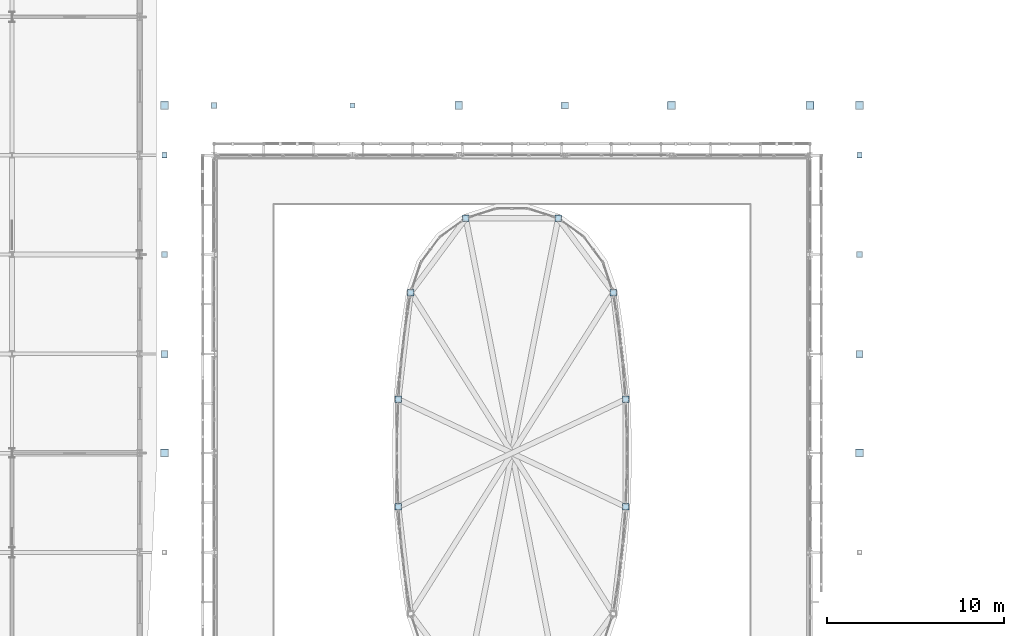
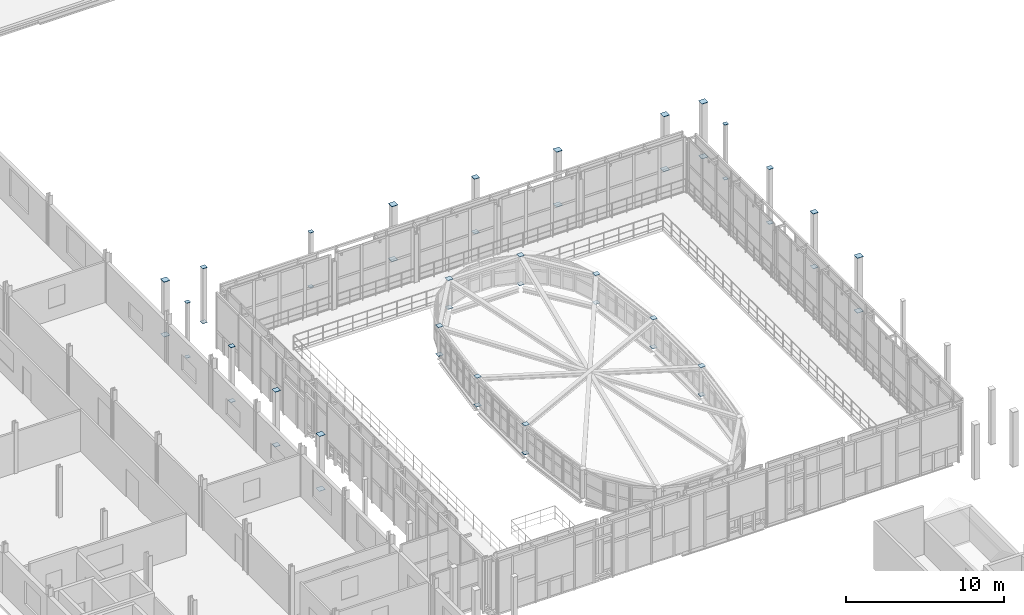
# One storey, part 58 of 78: 48 plates.
"""IFC4 building model written with IfcOpenShell, lengths in metres."""

from ifc_helpers import new_model, si_unit, direction, frame, origin, origin_2d, place, context, subcontext, project, spatial, rectangle, extrude, material, material_profile, profile_set, type_object, element, save


model = new_model("IFC4")

# Units and contexts
model_context = context("Model", 3, precision=1e-05, world=origin(), true_north=direction((0.0, 1.0)))
body_context = subcontext(model_context, "Body", "Model", "MODEL_VIEW")
ifc_project = project(units=[si_unit("LENGTHUNIT", "METRE"), si_unit("AREAUNIT", "SQUARE_METRE"), si_unit("VOLUMEUNIT", "CUBIC_METRE"), si_unit("PLANEANGLEUNIT", "RADIAN"), si_unit("MASSUNIT", "GRAM", prefix="KILO")], contexts=[model_context])

# Site, building, storey
site_placement = place(None, origin())
site = spatial("IfcSite", under=ifc_project, at=site_placement, CompositionType="ELEMENT")
building_placement = place(site_placement, origin())
building = spatial("IfcBuilding", under=site, at=building_placement, Name="Vinh Khe Railworks Police Headquarters", CompositionType="ELEMENT")
storey_placement = place(building_placement, frame((0.0, 0.0, 13.199951171875)))
storey = spatial("IfcBuildingStorey", under=building, at=storey_placement, Name="L03", CompositionType="ELEMENT", Elevation=13.199951171875)

# Plates
ifc_material = material(Name="Steel S355JR", Category="steel")
ifc_material_profile_1 = material_profile(ifc_material, rectangle(XDim=0.2900390625, YDim=0.2900390625, at=origin_2d()), Name="PL 290x290")
ifc_profile_set_1 = profile_set([ifc_material_profile_1], Name="Steel S355JR")
plate_type_1 = type_object("IfcPlateType", Name="Steel End-Cap Plate 290x290x24", PredefinedType="SHEET", material=ifc_profile_set_1)
plate_1_placement = place(storey_placement, frame((23.60009765625, 58.800048828125, 0.0), z_axis=(0.0, 0.0, -1.0), x_axis=(1.0, 0.0, 0.0)))
element("IfcPlate", 1, at=plate_1_placement, inside=storey, type_object=plate_type_1, Name="End-Cap Gusset Plate PLT-EP-0200", PredefinedType="SHEET", context=body_context, shape_type="SweptSolid", body=[
    extrude(rectangle(XDim=0.2900390625, YDim=0.2900390625, at=origin_2d()), origin(), (0.0, 0.0, 1.0), 0.02392578125),
])
plate_2_placement = place(storey_placement, frame((23.60009765625, 58.800048828125, 4.199951171875), z_axis=(0.0, 0.0, 1.0), x_axis=(1.0, 0.0, 0.0)))
element("IfcPlate", 2, at=plate_2_placement, inside=storey, type_object=plate_type_1, Name="End-Cap Gusset Plate PLT-EP-0202", PredefinedType="SHEET", context=body_context, shape_type="SweptSolid", body=[
    extrude(rectangle(XDim=0.2900390625, YDim=0.2900390625, at=origin_2d()), origin(), (0.0, 0.0, 1.0), 0.024169921875),
])
plate_3_placement = place(storey_placement, frame((34.199951171875, 61.60009765625, 0.0), z_axis=(0.0, 0.0, -1.0), x_axis=(1.0, 0.0, 0.0)))
element("IfcPlate", 3, at=plate_3_placement, inside=storey, type_object=plate_type_1, Name="End-Cap Gusset Plate PLT-EP-0311", PredefinedType="SHEET", context=body_context, shape_type="SweptSolid", body=[
    extrude(rectangle(XDim=0.2900390625, YDim=0.2900390625, at=origin_2d()), origin(), (0.0, 0.0, 1.0), 0.02392578125),
])
plate_4_placement = place(storey_placement, frame((34.199951171875, 61.60009765625, 4.199951171875), z_axis=(0.0, 0.0, 1.0), x_axis=(1.0, 0.0, 0.0)))
element("IfcPlate", 4, at=plate_4_placement, inside=storey, type_object=plate_type_1, Name="End-Cap Gusset Plate PLT-EP-0313", PredefinedType="SHEET", context=body_context, shape_type="SweptSolid", body=[
    extrude(rectangle(XDim=0.2900390625, YDim=0.2900390625, at=origin_2d()), origin(), (0.0, 0.0, 1.0), 0.024169921875),
])
plate_5_placement = place(storey_placement, frame((62.800048828125, 58.800048828125, 0.0), z_axis=(0.0, 0.0, -1.0), x_axis=(1.0, 0.0, 0.0)))
element("IfcPlate", 5, at=plate_5_placement, inside=storey, type_object=plate_type_1, Name="End-Cap Gusset Plate PLT-EP-0648", PredefinedType="SHEET", context=body_context, shape_type="SweptSolid", body=[
    extrude(rectangle(XDim=0.2900390625, YDim=0.2900390625, at=origin_2d()), origin(), (0.0, 0.0, 1.0), 0.02392578125),
])
plate_6_placement = place(storey_placement, frame((62.800048828125, 58.800048828125, 4.199951171875), z_axis=(0.0, 0.0, 1.0), x_axis=(1.0, 0.0, 0.0)))
element("IfcPlate", 6, at=plate_6_placement, inside=storey, type_object=plate_type_1, Name="End-Cap Gusset Plate PLT-EP-0650", PredefinedType="SHEET", context=body_context, shape_type="SweptSolid", body=[
    extrude(rectangle(XDim=0.2900390625, YDim=0.2900390625, at=origin_2d()), origin(), (0.0, 0.0, 1.0), 0.024169921875),
])
ifc_material_profile_2 = material_profile(ifc_material, rectangle(XDim=0.340087890625, YDim=0.340087890625, at=origin_2d()), Name="PL 340x340")
ifc_profile_set_2 = profile_set([ifc_material_profile_2], Name="Steel S355JR")
plate_type_2 = type_object("IfcPlateType", Name="Steel End-Cap Plate 340x340x24", PredefinedType="SHEET", material=ifc_profile_set_2)
plate_7_placement = place(storey_placement, frame((23.60009765625, 53.199951171875, 0.0), z_axis=(0.0, 0.0, -1.0), x_axis=(1.0, 0.0, 0.0)))
element("IfcPlate", 7, at=plate_7_placement, inside=storey, type_object=plate_type_2, Name="End-Cap Gusset Plate PLT-EP-0191", PredefinedType="SHEET", context=body_context, shape_type="SweptSolid", body=[
    extrude(rectangle(XDim=0.340087890625, YDim=0.340087890625, at=origin_2d()), origin(), (0.0, 0.0, 1.0), 0.02392578125),
])
plate_8_placement = place(storey_placement, frame((23.60009765625, 53.199951171875, 4.199951171875), z_axis=(0.0, 0.0, 1.0), x_axis=(1.0, 0.0, 0.0)))
element("IfcPlate", 8, at=plate_8_placement, inside=storey, type_object=plate_type_2, Name="End-Cap Gusset Plate PLT-EP-0193", PredefinedType="SHEET", context=body_context, shape_type="SweptSolid", body=[
    extrude(rectangle(XDim=0.340087890625, YDim=0.340087890625, at=origin_2d()), origin(), (0.0, 0.0, 1.0), 0.024169921875),
])
plate_9_placement = place(storey_placement, frame((26.39990234375, 61.60009765625, 0.0), z_axis=(0.0, 0.0, -1.0), x_axis=(1.0, 0.0, 0.0)))
element("IfcPlate", 9, at=plate_9_placement, inside=storey, type_object=plate_type_2, Name="End-Cap Gusset Plate PLT-EP-0249", PredefinedType="SHEET", context=body_context, shape_type="SweptSolid", body=[
    extrude(rectangle(XDim=0.340087890625, YDim=0.340087890625, at=origin_2d()), origin(), (0.0, 0.0, 1.0), 0.02392578125),
])
plate_10_placement = place(storey_placement, frame((26.39990234375, 61.60009765625, 4.199951171875), z_axis=(0.0, 0.0, 1.0), x_axis=(1.0, 0.0, 0.0)))
element("IfcPlate", 10, at=plate_10_placement, inside=storey, type_object=plate_type_2, Name="End-Cap Gusset Plate PLT-EP-0252", PredefinedType="SHEET", context=body_context, shape_type="SweptSolid", body=[
    extrude(rectangle(XDim=0.340087890625, YDim=0.340087890625, at=origin_2d()), origin(), (0.0, 0.0, 1.0), 0.024169921875),
])
plate_11_placement = place(storey_placement, frame((62.800048828125, 53.199951171875, 0.0), z_axis=(0.0, 0.0, -1.0), x_axis=(1.0, 0.0, 0.0)))
element("IfcPlate", 11, at=plate_11_placement, inside=storey, type_object=plate_type_2, Name="End-Cap Gusset Plate PLT-EP-0639", PredefinedType="SHEET", context=body_context, shape_type="SweptSolid", body=[
    extrude(rectangle(XDim=0.340087890625, YDim=0.340087890625, at=origin_2d()), origin(), (0.0, 0.0, 1.0), 0.02392578125),
])
plate_12_placement = place(storey_placement, frame((62.800048828125, 53.199951171875, 4.199951171875), z_axis=(0.0, 0.0, 1.0), x_axis=(1.0, 0.0, 0.0)))
element("IfcPlate", 12, at=plate_12_placement, inside=storey, type_object=plate_type_2, Name="End-Cap Gusset Plate PLT-EP-0641", PredefinedType="SHEET", context=body_context, shape_type="SweptSolid", body=[
    extrude(rectangle(XDim=0.340087890625, YDim=0.340087890625, at=origin_2d()), origin(), (0.0, 0.0, 1.0), 0.024169921875),
])
ifc_material_profile_3 = material_profile(ifc_material, rectangle(XDim=0.364013671875, YDim=0.364013671875, at=origin_2d()), Name="PL 364x364")
ifc_profile_set_3 = profile_set([ifc_material_profile_3], Name="Steel S355JR")
plate_type_3 = type_object("IfcPlateType", Name="Steel End-Cap Plate 364x364x24", PredefinedType="SHEET", material=ifc_profile_set_3)
plate_13_placement = place(storey_placement, frame((36.78759765625, 38.968017578125, 0.0), z_axis=(0.0, 0.0, -1.0), x_axis=(1.0, 0.0, 0.0)))
element("IfcPlate", 13, at=plate_13_placement, inside=storey, type_object=plate_type_3, Name="End-Cap Gusset Plate PLT-EP-0339", PredefinedType="SHEET", context=body_context, shape_type="SweptSolid", body=[
    extrude(rectangle(XDim=0.364013671875, YDim=0.364013671875, at=origin_2d()), origin(), (0.0, 0.0, 1.0), 0.02392578125),
])
plate_14_placement = place(storey_placement, frame((36.78759765625, 38.968017578125, 2.199951171875), z_axis=(0.0, 0.0, 1.0), x_axis=(1.0, 0.0, 0.0)))
element("IfcPlate", 14, at=plate_14_placement, inside=storey, type_object=plate_type_3, Name="End-Cap Gusset Plate PLT-EP-0341", PredefinedType="SHEET", context=body_context, shape_type="SweptSolid", body=[
    extrude(rectangle(XDim=0.364013671875, YDim=0.364013671875, at=origin_2d()), origin(), (0.0, 0.0, 1.0), 0.024169921875),
])
plate_15_placement = place(storey_placement, frame((36.78759765625, 45.031982421875, 0.0), z_axis=(0.0, 0.0, -1.0), x_axis=(1.0, 0.0, 0.0)))
element("IfcPlate", 15, at=plate_15_placement, inside=storey, type_object=plate_type_3, Name="End-Cap Gusset Plate PLT-EP-0347", PredefinedType="SHEET", context=body_context, shape_type="SweptSolid", body=[
    extrude(rectangle(XDim=0.364013671875, YDim=0.364013671875, at=origin_2d()), origin(), (0.0, 0.0, 1.0), 0.02392578125),
])
plate_16_placement = place(storey_placement, frame((36.78759765625, 45.031982421875, 2.199951171875), z_axis=(0.0, 0.0, 1.0), x_axis=(1.0, 0.0, 0.0)))
element("IfcPlate", 16, at=plate_16_placement, inside=storey, type_object=plate_type_3, Name="End-Cap Gusset Plate PLT-EP-0349", PredefinedType="SHEET", context=body_context, shape_type="SweptSolid", body=[
    extrude(rectangle(XDim=0.364013671875, YDim=0.364013671875, at=origin_2d()), origin(), (0.0, 0.0, 1.0), 0.024169921875),
])
plate_17_placement = place(storey_placement, frame((37.48681640625, 51.055908203125, 0.0), z_axis=(0.0, 0.0, -1.0), x_axis=(1.0, 0.0, 0.0)))
element("IfcPlate", 17, at=plate_17_placement, inside=storey, type_object=plate_type_3, Name="End-Cap Gusset Plate PLT-EP-0363", PredefinedType="SHEET", context=body_context, shape_type="SweptSolid", body=[
    extrude(rectangle(XDim=0.364013671875, YDim=0.364013671875, at=origin_2d()), origin(), (0.0, 0.0, 1.0), 0.02392578125),
])
plate_18_placement = place(storey_placement, frame((37.48681640625, 51.055908203125, 2.199951171875), z_axis=(0.0, 0.0, 1.0), x_axis=(1.0, 0.0, 0.0)))
element("IfcPlate", 18, at=plate_18_placement, inside=storey, type_object=plate_type_3, Name="End-Cap Gusset Plate PLT-EP-0365", PredefinedType="SHEET", context=body_context, shape_type="SweptSolid", body=[
    extrude(rectangle(XDim=0.364013671875, YDim=0.364013671875, at=origin_2d()), origin(), (0.0, 0.0, 1.0), 0.024169921875),
])
plate_19_placement = place(storey_placement, frame((40.594970703125, 55.237548828125, 0.0), z_axis=(0.0, 0.0, -1.0), x_axis=(1.0, 0.0, 0.0)))
element("IfcPlate", 19, at=plate_19_placement, inside=storey, type_object=plate_type_3, Name="End-Cap Gusset Plate PLT-EP-0409", PredefinedType="SHEET", context=body_context, shape_type="SweptSolid", body=[
    extrude(rectangle(XDim=0.364013671875, YDim=0.364013671875, at=origin_2d()), origin(), (0.0, 0.0, 1.0), 0.02392578125),
])
plate_20_placement = place(storey_placement, frame((40.594970703125, 55.237548828125, 2.199951171875), z_axis=(0.0, 0.0, 1.0), x_axis=(1.0, 0.0, 0.0)))
element("IfcPlate", 20, at=plate_20_placement, inside=storey, type_object=plate_type_3, Name="End-Cap Gusset Plate PLT-EP-0411", PredefinedType="SHEET", context=body_context, shape_type="SweptSolid", body=[
    extrude(rectangle(XDim=0.364013671875, YDim=0.364013671875, at=origin_2d()), origin(), (0.0, 0.0, 1.0), 0.024169921875),
])
plate_21_placement = place(storey_placement, frame((45.80517578125, 55.237548828125, 0.0), z_axis=(0.0, 0.0, -1.0), x_axis=(1.0, 0.0, 0.0)))
element("IfcPlate", 21, at=plate_21_placement, inside=storey, type_object=plate_type_3, Name="End-Cap Gusset Plate PLT-EP-0439", PredefinedType="SHEET", context=body_context, shape_type="SweptSolid", body=[
    extrude(rectangle(XDim=0.364013671875, YDim=0.364013671875, at=origin_2d()), origin(), (0.0, 0.0, 1.0), 0.02392578125),
])
plate_22_placement = place(storey_placement, frame((45.80517578125, 55.237548828125, 2.199951171875), z_axis=(0.0, 0.0, 1.0), x_axis=(1.0, 0.0, 0.0)))
element("IfcPlate", 22, at=plate_22_placement, inside=storey, type_object=plate_type_3, Name="End-Cap Gusset Plate PLT-EP-0441", PredefinedType="SHEET", context=body_context, shape_type="SweptSolid", body=[
    extrude(rectangle(XDim=0.364013671875, YDim=0.364013671875, at=origin_2d()), origin(), (0.0, 0.0, 1.0), 0.024169921875),
])
plate_23_placement = place(storey_placement, frame((48.9130859375, 51.055908203125, 0.0), z_axis=(0.0, 0.0, -1.0), x_axis=(1.0, 0.0, 0.0)))
element("IfcPlate", 23, at=plate_23_placement, inside=storey, type_object=plate_type_3, Name="End-Cap Gusset Plate PLT-EP-0493", PredefinedType="SHEET", context=body_context, shape_type="SweptSolid", body=[
    extrude(rectangle(XDim=0.364013671875, YDim=0.364013671875, at=origin_2d()), origin(), (0.0, 0.0, 1.0), 0.02392578125),
])
plate_24_placement = place(storey_placement, frame((48.9130859375, 51.055908203125, 2.199951171875), z_axis=(0.0, 0.0, 1.0), x_axis=(1.0, 0.0, 0.0)))
element("IfcPlate", 24, at=plate_24_placement, inside=storey, type_object=plate_type_3, Name="End-Cap Gusset Plate PLT-EP-0495", PredefinedType="SHEET", context=body_context, shape_type="SweptSolid", body=[
    extrude(rectangle(XDim=0.364013671875, YDim=0.364013671875, at=origin_2d()), origin(), (0.0, 0.0, 1.0), 0.024169921875),
])
plate_25_placement = place(storey_placement, frame((49.6123046875, 38.968017578125, 0.0), z_axis=(0.0, 0.0, -1.0), x_axis=(1.0, 0.0, 0.0)))
element("IfcPlate", 25, at=plate_25_placement, inside=storey, type_object=plate_type_3, Name="End-Cap Gusset Plate PLT-EP-0501", PredefinedType="SHEET", context=body_context, shape_type="SweptSolid", body=[
    extrude(rectangle(XDim=0.364013671875, YDim=0.364013671875, at=origin_2d()), origin(), (0.0, 0.0, 1.0), 0.02392578125),
])
plate_26_placement = place(storey_placement, frame((49.6123046875, 38.968017578125, 2.199951171875), z_axis=(0.0, 0.0, 1.0), x_axis=(1.0, 0.0, 0.0)))
element("IfcPlate", 26, at=plate_26_placement, inside=storey, type_object=plate_type_3, Name="End-Cap Gusset Plate PLT-EP-0503", PredefinedType="SHEET", context=body_context, shape_type="SweptSolid", body=[
    extrude(rectangle(XDim=0.364013671875, YDim=0.364013671875, at=origin_2d()), origin(), (0.0, 0.0, 1.0), 0.024169921875),
])
plate_27_placement = place(storey_placement, frame((49.6123046875, 45.031982421875, 0.0), z_axis=(0.0, 0.0, -1.0), x_axis=(1.0, 0.0, 0.0)))
element("IfcPlate", 27, at=plate_27_placement, inside=storey, type_object=plate_type_3, Name="End-Cap Gusset Plate PLT-EP-0509", PredefinedType="SHEET", context=body_context, shape_type="SweptSolid", body=[
    extrude(rectangle(XDim=0.364013671875, YDim=0.364013671875, at=origin_2d()), origin(), (0.0, 0.0, 1.0), 0.02392578125),
])
plate_28_placement = place(storey_placement, frame((49.6123046875, 45.031982421875, 2.199951171875), z_axis=(0.0, 0.0, 1.0), x_axis=(1.0, 0.0, 0.0)))
element("IfcPlate", 28, at=plate_28_placement, inside=storey, type_object=plate_type_3, Name="End-Cap Gusset Plate PLT-EP-0511", PredefinedType="SHEET", context=body_context, shape_type="SweptSolid", body=[
    extrude(rectangle(XDim=0.364013671875, YDim=0.364013671875, at=origin_2d()), origin(), (0.0, 0.0, 1.0), 0.024169921875),
])
ifc_material_profile_4 = material_profile(ifc_material, rectangle(XDim=0.389892578125, YDim=0.389892578125, at=origin_2d()), Name="PL 390x390")
ifc_profile_set_4 = profile_set([ifc_material_profile_4], Name="Steel S355JR")
plate_type_4 = type_object("IfcPlateType", Name="Steel End-Cap Plate 390x390x24", PredefinedType="SHEET", material=ifc_profile_set_4)
plate_29_placement = place(storey_placement, frame((23.60009765625, 47.60009765625, 0.0), z_axis=(0.0, 0.0, -1.0), x_axis=(1.0, 0.0, 0.0)))
element("IfcPlate", 29, at=plate_29_placement, inside=storey, type_object=plate_type_4, Name="End-Cap Gusset Plate PLT-EP-0182", PredefinedType="SHEET", context=body_context, shape_type="SweptSolid", body=[
    extrude(rectangle(XDim=0.389892578125, YDim=0.389892578125, at=origin_2d()), origin(), (0.0, 0.0, 1.0), 0.02392578125),
])
plate_30_placement = place(storey_placement, frame((23.60009765625, 47.60009765625, 4.199951171875), z_axis=(0.0, 0.0, 1.0), x_axis=(1.0, 0.0, 0.0)))
element("IfcPlate", 30, at=plate_30_placement, inside=storey, type_object=plate_type_4, Name="End-Cap Gusset Plate PLT-EP-0184", PredefinedType="SHEET", context=body_context, shape_type="SweptSolid", body=[
    extrude(rectangle(XDim=0.389892578125, YDim=0.389892578125, at=origin_2d()), origin(), (0.0, 0.0, 1.0), 0.024169921875),
])
plate_31_placement = place(storey_placement, frame((46.199951171875, 61.60009765625, 0.0), z_axis=(0.0, 0.0, -1.0), x_axis=(1.0, 0.0, 0.0)))
element("IfcPlate", 31, at=plate_31_placement, inside=storey, type_object=plate_type_4, Name="End-Cap Gusset Plate PLT-EP-0455", PredefinedType="SHEET", context=body_context, shape_type="SweptSolid", body=[
    extrude(rectangle(XDim=0.389892578125, YDim=0.389892578125, at=origin_2d()), origin(), (0.0, 0.0, 1.0), 0.02392578125),
])
plate_32_placement = place(storey_placement, frame((46.199951171875, 61.60009765625, 4.199951171875), z_axis=(0.0, 0.0, 1.0), x_axis=(1.0, 0.0, 0.0)))
element("IfcPlate", 32, at=plate_32_placement, inside=storey, type_object=plate_type_4, Name="End-Cap Gusset Plate PLT-EP-0457", PredefinedType="SHEET", context=body_context, shape_type="SweptSolid", body=[
    extrude(rectangle(XDim=0.389892578125, YDim=0.389892578125, at=origin_2d()), origin(), (0.0, 0.0, 1.0), 0.024169921875),
])
plate_33_placement = place(storey_placement, frame((62.800048828125, 47.60009765625, 0.0), z_axis=(0.0, 0.0, -1.0), x_axis=(1.0, 0.0, 0.0)))
element("IfcPlate", 33, at=plate_33_placement, inside=storey, type_object=plate_type_4, Name="End-Cap Gusset Plate PLT-EP-0630", PredefinedType="SHEET", context=body_context, shape_type="SweptSolid", body=[
    extrude(rectangle(XDim=0.389892578125, YDim=0.389892578125, at=origin_2d()), origin(), (0.0, 0.0, 1.0), 0.02392578125),
])
plate_34_placement = place(storey_placement, frame((62.800048828125, 47.60009765625, 4.199951171875), z_axis=(0.0, 0.0, 1.0), x_axis=(1.0, 0.0, 0.0)))
element("IfcPlate", 34, at=plate_34_placement, inside=storey, type_object=plate_type_4, Name="End-Cap Gusset Plate PLT-EP-0632", PredefinedType="SHEET", context=body_context, shape_type="SweptSolid", body=[
    extrude(rectangle(XDim=0.389892578125, YDim=0.389892578125, at=origin_2d()), origin(), (0.0, 0.0, 1.0), 0.024169921875),
])
ifc_material_profile_5 = material_profile(ifc_material, rectangle(XDim=0.43994140625, YDim=0.43994140625, at=origin_2d()), Name="PL 440x440")
ifc_profile_set_5 = profile_set([ifc_material_profile_5], Name="Steel S355JR")
plate_type_5 = type_object("IfcPlateType", Name="Steel End-Cap Plate 440x440x24", PredefinedType="SHEET", material=ifc_profile_set_5)
plate_35_placement = place(storey_placement, frame((23.60009765625, 42.0, 0.0), z_axis=(0.0, 0.0, -1.0), x_axis=(1.0, 0.0, 0.0)))
element("IfcPlate", 35, at=plate_35_placement, inside=storey, type_object=plate_type_5, Name="End-Cap Gusset Plate PLT-EP-0172", PredefinedType="SHEET", context=body_context, shape_type="SweptSolid", body=[
    extrude(rectangle(XDim=0.43994140625, YDim=0.43994140625, at=origin_2d()), origin(), (0.0, 0.0, 1.0), 0.02392578125),
])
plate_36_placement = place(storey_placement, frame((23.60009765625, 42.0, 4.199951171875), z_axis=(0.0, 0.0, 1.0), x_axis=(1.0, 0.0, 0.0)))
element("IfcPlate", 36, at=plate_36_placement, inside=storey, type_object=plate_type_5, Name="End-Cap Gusset Plate PLT-EP-0175", PredefinedType="SHEET", context=body_context, shape_type="SweptSolid", body=[
    extrude(rectangle(XDim=0.43994140625, YDim=0.43994140625, at=origin_2d()), origin(), (0.0, 0.0, 1.0), 0.024169921875),
])
plate_37_placement = place(storey_placement, frame((23.60009765625, 61.60009765625, 0.0), z_axis=(0.0, 0.0, -1.0), x_axis=(1.0, 0.0, 0.0)))
element("IfcPlate", 37, at=plate_37_placement, inside=storey, type_object=plate_type_5, Name="End-Cap Gusset Plate PLT-EP-0208", PredefinedType="SHEET", context=body_context, shape_type="SweptSolid", body=[
    extrude(rectangle(XDim=0.43994140625, YDim=0.43994140625, at=origin_2d()), origin(), (0.0, 0.0, 1.0), 0.02392578125),
])
plate_38_placement = place(storey_placement, frame((23.60009765625, 61.60009765625, 4.199951171875), z_axis=(0.0, 0.0, 1.0), x_axis=(1.0, 0.0, 0.0)))
element("IfcPlate", 38, at=plate_38_placement, inside=storey, type_object=plate_type_5, Name="End-Cap Gusset Plate PLT-EP-0210", PredefinedType="SHEET", context=body_context, shape_type="SweptSolid", body=[
    extrude(rectangle(XDim=0.43994140625, YDim=0.43994140625, at=origin_2d()), origin(), (0.0, 0.0, 1.0), 0.024169921875),
])
plate_39_placement = place(storey_placement, frame((40.199951171875, 61.60009765625, 0.0), z_axis=(0.0, 0.0, -1.0), x_axis=(1.0, 0.0, 0.0)))
element("IfcPlate", 39, at=plate_39_placement, inside=storey, type_object=plate_type_5, Name="End-Cap Gusset Plate PLT-EP-0385", PredefinedType="SHEET", context=body_context, shape_type="SweptSolid", body=[
    extrude(rectangle(XDim=0.43994140625, YDim=0.43994140625, at=origin_2d()), origin(), (0.0, 0.0, 1.0), 0.02392578125),
])
plate_40_placement = place(storey_placement, frame((40.199951171875, 61.60009765625, 4.199951171875), z_axis=(0.0, 0.0, 1.0), x_axis=(1.0, 0.0, 0.0)))
element("IfcPlate", 40, at=plate_40_placement, inside=storey, type_object=plate_type_5, Name="End-Cap Gusset Plate PLT-EP-0387", PredefinedType="SHEET", context=body_context, shape_type="SweptSolid", body=[
    extrude(rectangle(XDim=0.43994140625, YDim=0.43994140625, at=origin_2d()), origin(), (0.0, 0.0, 1.0), 0.024169921875),
])
plate_41_placement = place(storey_placement, frame((52.199951171875, 61.60009765625, 0.0), z_axis=(0.0, 0.0, -1.0), x_axis=(1.0, 0.0, 0.0)))
element("IfcPlate", 41, at=plate_41_placement, inside=storey, type_object=plate_type_5, Name="End-Cap Gusset Plate PLT-EP-0525", PredefinedType="SHEET", context=body_context, shape_type="SweptSolid", body=[
    extrude(rectangle(XDim=0.43994140625, YDim=0.43994140625, at=origin_2d()), origin(), (0.0, 0.0, 1.0), 0.02392578125),
])
plate_42_placement = place(storey_placement, frame((52.199951171875, 61.60009765625, 4.199951171875), z_axis=(0.0, 0.0, 1.0), x_axis=(1.0, 0.0, 0.0)))
element("IfcPlate", 42, at=plate_42_placement, inside=storey, type_object=plate_type_5, Name="End-Cap Gusset Plate PLT-EP-0527", PredefinedType="SHEET", context=body_context, shape_type="SweptSolid", body=[
    extrude(rectangle(XDim=0.43994140625, YDim=0.43994140625, at=origin_2d()), origin(), (0.0, 0.0, 1.0), 0.024169921875),
])
plate_43_placement = place(storey_placement, frame((60.0, 61.60009765625, 0.0), z_axis=(0.0, 0.0, -1.0), x_axis=(1.0, 0.0, 0.0)))
element("IfcPlate", 43, at=plate_43_placement, inside=storey, type_object=plate_type_5, Name="End-Cap Gusset Plate PLT-EP-0576", PredefinedType="SHEET", context=body_context, shape_type="SweptSolid", body=[
    extrude(rectangle(XDim=0.43994140625, YDim=0.43994140625, at=origin_2d()), origin(), (0.0, 0.0, 1.0), 0.02392578125),
])
plate_44_placement = place(storey_placement, frame((60.0, 61.60009765625, 4.199951171875), z_axis=(0.0, 0.0, 1.0), x_axis=(1.0, 0.0, 0.0)))
element("IfcPlate", 44, at=plate_44_placement, inside=storey, type_object=plate_type_5, Name="End-Cap Gusset Plate PLT-EP-0579", PredefinedType="SHEET", context=body_context, shape_type="SweptSolid", body=[
    extrude(rectangle(XDim=0.43994140625, YDim=0.43994140625, at=origin_2d()), origin(), (0.0, 0.0, 1.0), 0.024169921875),
])
plate_45_placement = place(storey_placement, frame((62.800048828125, 42.0, 0.0), z_axis=(0.0, 0.0, -1.0), x_axis=(1.0, 0.0, 0.0)))
element("IfcPlate", 45, at=plate_45_placement, inside=storey, type_object=plate_type_5, Name="End-Cap Gusset Plate PLT-EP-0620", PredefinedType="SHEET", context=body_context, shape_type="SweptSolid", body=[
    extrude(rectangle(XDim=0.43994140625, YDim=0.43994140625, at=origin_2d()), origin(), (0.0, 0.0, 1.0), 0.02392578125),
])
plate_46_placement = place(storey_placement, frame((62.800048828125, 42.0, 4.199951171875), z_axis=(0.0, 0.0, 1.0), x_axis=(1.0, 0.0, 0.0)))
element("IfcPlate", 46, at=plate_46_placement, inside=storey, type_object=plate_type_5, Name="End-Cap Gusset Plate PLT-EP-0623", PredefinedType="SHEET", context=body_context, shape_type="SweptSolid", body=[
    extrude(rectangle(XDim=0.43994140625, YDim=0.43994140625, at=origin_2d()), origin(), (0.0, 0.0, 1.0), 0.024169921875),
])
plate_47_placement = place(storey_placement, frame((62.800048828125, 61.60009765625, 0.0), z_axis=(0.0, 0.0, -1.0), x_axis=(1.0, 0.0, 0.0)))
element("IfcPlate", 47, at=plate_47_placement, inside=storey, type_object=plate_type_5, Name="End-Cap Gusset Plate PLT-EP-0656", PredefinedType="SHEET", context=body_context, shape_type="SweptSolid", body=[
    extrude(rectangle(XDim=0.43994140625, YDim=0.43994140625, at=origin_2d()), origin(), (0.0, 0.0, 1.0), 0.02392578125),
])
plate_48_placement = place(storey_placement, frame((62.800048828125, 61.60009765625, 4.199951171875), z_axis=(0.0, 0.0, 1.0), x_axis=(1.0, 0.0, 0.0)))
element("IfcPlate", 48, at=plate_48_placement, inside=storey, type_object=plate_type_5, Name="End-Cap Gusset Plate PLT-EP-0658", PredefinedType="SHEET", context=body_context, shape_type="SweptSolid", body=[
    extrude(rectangle(XDim=0.43994140625, YDim=0.43994140625, at=origin_2d()), origin(), (0.0, 0.0, 1.0), 0.024169921875),
])

save(model, "model.ifc")
